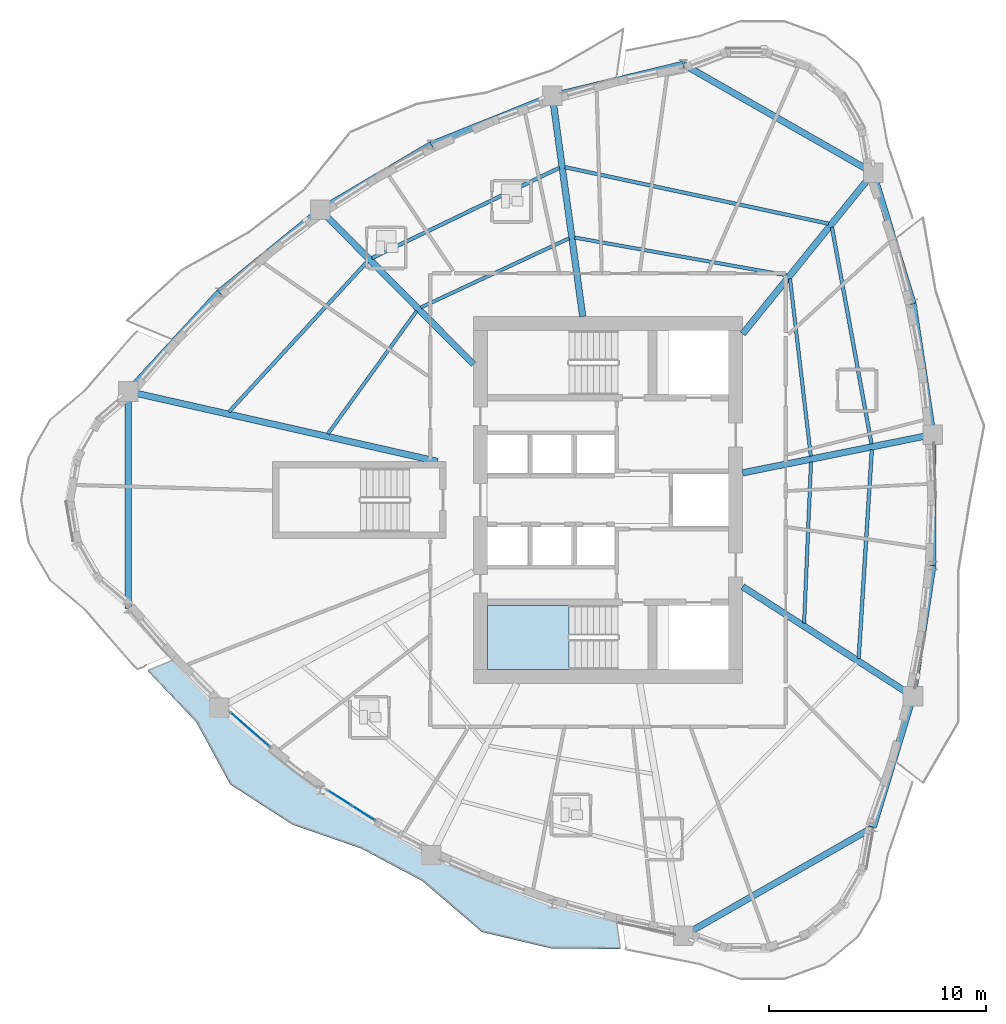
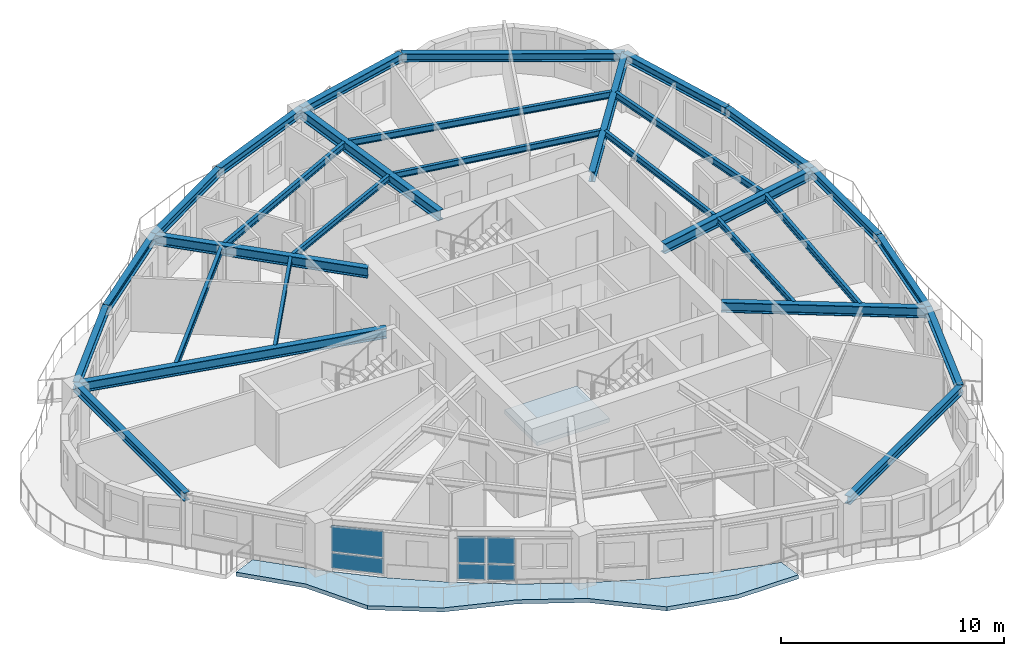
# One storey, part 3 of 15: 29 beams, 6 plates, 2 slabs, 3 elements without a shape of their own.
"""IFC4 building model written with IfcOpenShell, lengths in metres."""

from ifc_helpers import new_model, si_unit, direction, frame, origin, origin_2d, place, context, subcontext, project, spatial, polyline, rectangle, i_section, outline, extrude, source, transform, mapped, material, layer, layer_set, material_profile, profile_set, type_object, element, aggregate, save


model = new_model("IFC4")

# Units and contexts
model_context = context("Model", 3, precision=1e-05, world=origin(), true_north=direction((0.0, 1.0)))
body_context = subcontext(model_context, "Body", "Model", "MODEL_VIEW")
ifc_project = project(units=[si_unit("LENGTHUNIT", "METRE"), si_unit("AREAUNIT", "SQUARE_METRE"), si_unit("VOLUMEUNIT", "CUBIC_METRE"), si_unit("PLANEANGLEUNIT", "RADIAN"), si_unit("MASSUNIT", "GRAM", prefix="KILO")], contexts=[model_context])

# Site, building, storey
site_placement = place(None, origin())
site = spatial("IfcSite", under=ifc_project, at=site_placement, CompositionType="ELEMENT")
building_placement = place(site_placement, origin())
building = spatial("IfcBuilding", under=site, at=building_placement, Name="Qafzar Sky-Pleat Residences", CompositionType="ELEMENT")
storey_placement = place(building_placement, frame((0.0, 0.0, 70.39990234375)))
storey = spatial("IfcBuildingStorey", under=building, at=storey_placement, Name="L20", CompositionType="ELEMENT", Elevation=70.39990234375)

# Beams
ifc_material_1 = material(Name="Steel S355", Category="steel")
ifc_material_profile_1 = material_profile(ifc_material_1, i_section(OverallWidth=0.300048828125, OverallDepth=0.449951171875, WebThickness=0.013916015625, FlangeThickness=0.02587890625, FilletRadius=0.027099609375, at=origin_2d()), Name="HEB 450")
ifc_profile_set_1 = profile_set([ifc_material_profile_1], Name="Steel S355")
beam_type_1 = type_object("IfcBeamType", Name="BM-SPAN-HEB450", PredefinedType="SPANDREL", material=ifc_profile_set_1)
shared_shape_1 = source(origin(), body_context, "Body", "SweptSolid", [
    extrude(i_section(OverallWidth=0.300048828125, OverallDepth=0.449951171875, WebThickness=0.013916015625, FlangeThickness=0.02587890625, FilletRadius=0.027099609375, at=origin_2d()), origin(), (0.0, 0.0, 1.0), 9.9931640625),
])
beam_1_placement = place(storey_placement, frame((8.255859375, 30.99658203125, 2.72314453125), z_axis=(0.0, -1.0, 0.0), x_axis=(1.0, 0.0, 0.0)))
element("IfcBeam", 1, at=beam_1_placement, inside=storey, type_object=beam_type_1, Name="L20 Perimeter Spandrel Beam 1", PredefinedType="SPANDREL", context=body_context, shape_type="MappedRepresentation", body=[
    mapped(shared_shape_1, transform((0.0, 0.0, 0.0), x_axis=(1.0, 0.0, 0.0), y_axis=(0.0, 1.0, 0.0), z_axis=(0.0, 0.0, 1.0), scale=1.0)),
])
shared_shape_2 = source(origin(), body_context, "Body", "SweptSolid", [
    extrude(i_section(OverallWidth=0.300048828125, OverallDepth=0.449951171875, WebThickness=0.013916015625, FlangeThickness=0.02587890625, FilletRadius=0.027099609375, at=origin_2d()), origin(), (0.0, 0.0, 1.0), 6.20166015625),
])
beam_2_placement = place(storey_placement, frame((12.451416015625, 35.563720703125, 2.72314453125), z_axis=(-0.676513948363, -0.736429818564, 0.0), x_axis=(0.736429818564, -0.676513948363, 0.0)))
element("IfcBeam", 2, at=beam_2_placement, inside=storey, type_object=beam_type_1, Name="L20 Perimeter Spandrel Beam 18", PredefinedType="SPANDREL", context=body_context, shape_type="MappedRepresentation", body=[
    mapped(shared_shape_2, transform((0.0, 0.0, 0.0), x_axis=(1.0, 0.0, 0.0), y_axis=(0.0, 1.0, 0.0), z_axis=(0.0, 0.0, 1.0), scale=1.0)),
])
shared_shape_3 = source(origin(), body_context, "Body", "SweptSolid", [
    extrude(i_section(OverallWidth=0.300048828125, OverallDepth=0.449951171875, WebThickness=0.013916015625, FlangeThickness=0.02587890625, FilletRadius=0.027099609375, at=origin_2d()), origin(), (0.0, 0.0, 1.0), 6.002197265625),
])
for number, where, z_axis, x_axis, name in (
    (3, (27.786865234375, 44.60400390625, 2.72314453125), (-0.927979334947, -0.372631659834, 0.0), (0.372631659834, -0.927979334947, 0.0), "L20 Perimeter Spandrel Beam 15"),
    (4, (17.105224609375, 39.354248046875, 2.72314453125), (-0.775354482876, -0.631526266978, 0.0), (0.631526266978, -0.775354482876, 0.0), "L20 Perimeter Spandrel Beam 17"),
):
    element("IfcBeam", number, at=place(storey_placement, frame(where, z_axis=z_axis, x_axis=x_axis)), inside=storey, type_object=beam_type_1, Name=name, PredefinedType="SPANDREL", context=body_context, shape_type="MappedRepresentation", body=[
        mapped(shared_shape_3, transform((0.0, 0.0, 0.0), x_axis=(1.0, 0.0, 0.0), y_axis=(0.0, 1.0, 0.0), z_axis=(0.0, 0.0, 1.0), scale=1.0)),
    ])
shared_shape_4 = source(origin(), body_context, "Body", "SweptSolid", [
    extrude(i_section(OverallWidth=0.300048828125, OverallDepth=0.449951171875, WebThickness=0.013916015625, FlangeThickness=0.02587890625, FilletRadius=0.027099609375, at=origin_2d()), origin(), (0.0, 0.0, 1.0), 5.933837890625),
])
beam_3_placement = place(storey_placement, frame((22.217041015625, 42.367431640625, 2.72314453125), z_axis=(-0.861474825081, -0.507800281362, 0.0), x_axis=(0.507800281362, -0.861474825081, 0.0)))
element("IfcBeam", 5, at=beam_3_placement, inside=storey, type_object=beam_type_1, Name="L20 Perimeter Spandrel Beam 16", PredefinedType="SPANDREL", context=body_context, shape_type="MappedRepresentation", body=[
    mapped(shared_shape_4, transform((0.0, 0.0, 0.0), x_axis=(1.0, 0.0, 0.0), y_axis=(0.0, 1.0, 0.0), z_axis=(0.0, 0.0, 1.0), scale=1.0)),
])
shared_shape_5 = source(origin(), body_context, "Body", "SweptSolid", [
    extrude(i_section(OverallWidth=0.300048828125, OverallDepth=0.449951171875, WebThickness=0.013916015625, FlangeThickness=0.02587890625, FilletRadius=0.027099609375, at=origin_2d()), origin(), (0.0, 0.0, 1.0), 6.201904296875),
])
beam_4_placement = place(storey_placement, frame((33.814697265625, 46.063232421875, 2.72314453125), z_axis=(-0.971926258737, -0.235285672275, 0.0), x_axis=(0.235285672275, -0.971926258737, 0.0)))
element("IfcBeam", 6, at=beam_4_placement, inside=storey, type_object=beam_type_1, Name="L20 Perimeter Spandrel Beam 14", PredefinedType="SPANDREL", context=body_context, shape_type="MappedRepresentation", body=[
    mapped(shared_shape_5, transform((0.0, 0.0, 0.0), x_axis=(1.0, 0.0, 0.0), y_axis=(0.0, 1.0, 0.0), z_axis=(0.0, 0.0, 1.0), scale=1.0)),
])
shared_shape_6 = source(origin(), body_context, "Body", "SweptSolid", [
    extrude(i_section(OverallWidth=0.300048828125, OverallDepth=0.449951171875, WebThickness=0.013916015625, FlangeThickness=0.02587890625, FilletRadius=0.027099609375, at=origin_2d()), origin(), (0.0, 0.0, 1.0), 10.072021484375),
])
for number, where, z_axis, x_axis, name in (
    (7, (33.814697265625, 5.936767578125, 2.72314453125), (0.868286397172, 0.496063234363, 0.0), (-0.496063234363, 0.868286397172, 0.0), "L20 Perimeter Spandrel Beam 7"),
    (8, (42.56005859375, 41.06689453125, 2.72314453125), (-0.868286397172, 0.496063234363, 0.0), (-0.496063234363, -0.868286397172, 0.0), "L20 Perimeter Spandrel Beam 13"),
):
    element("IfcBeam", number, at=place(storey_placement, frame(where, z_axis=z_axis, x_axis=x_axis)), inside=storey, type_object=beam_type_1, Name=name, PredefinedType="SPANDREL", context=body_context, shape_type="MappedRepresentation", body=[
        mapped(shared_shape_6, transform((0.0, 0.0, 0.0), x_axis=(1.0, 0.0, 0.0), y_axis=(0.0, 1.0, 0.0), z_axis=(0.0, 0.0, 1.0), scale=1.0)),
    ])
shared_shape_7 = source(origin(), body_context, "Body", "SweptSolid", [
    extrude(i_section(OverallWidth=0.300048828125, OverallDepth=0.449951171875, WebThickness=0.013916015625, FlangeThickness=0.02587890625, FilletRadius=0.027099609375, at=origin_2d()), origin(), (0.0, 0.0, 1.0), 6.299072265625),
])
for number, where, z_axis, x_axis, name in (
    (9, (42.56005859375, 10.93310546875, 2.72314453125), (0.290837724263, 0.956772396208, 0.0), (-0.956772396208, 0.290837724263, 0.0), "L20 Perimeter Spandrel Beam 8"),
    (10, (44.39208984375, 35.0400390625, 2.72314453125), (-0.290837724263, 0.956772396208, 0.0), (-0.956772396208, -0.290837724263, 0.0), "L20 Perimeter Spandrel Beam 12"),
):
    element("IfcBeam", number, at=place(storey_placement, frame(where, z_axis=z_axis, x_axis=x_axis)), inside=storey, type_object=beam_type_1, Name=name, PredefinedType="SPANDREL", context=body_context, shape_type="MappedRepresentation", body=[
        mapped(shared_shape_7, transform((0.0, 0.0, 0.0), x_axis=(1.0, 0.0, 0.0), y_axis=(0.0, 1.0, 0.0), z_axis=(0.0, 0.0, 1.0), scale=1.0)),
    ])
shared_shape_8 = source(origin(), body_context, "Body", "SweptSolid", [
    extrude(i_section(OverallWidth=0.300048828125, OverallDepth=0.449951171875, WebThickness=0.013916015625, FlangeThickness=0.02587890625, FilletRadius=0.027099609375, at=origin_2d()), origin(), (0.0, 0.0, 1.0), 6.095947265625),
])
for number, where, z_axis, x_axis, name in (
    (11, (44.39208984375, 16.9599609375, 2.72314453125), (0.150269250575, 0.988645109395, 0.0), (-0.988645109395, 0.150269250575, 0.0), "L20 Perimeter Spandrel Beam 9"),
    (12, (45.30810546875, 29.013427734375, 2.72314453125), (-0.150269250575, 0.988645109395, 0.0), (-0.988645109395, -0.150269250575, 0.0), "L20 Perimeter Spandrel Beam 11"),
):
    element("IfcBeam", number, at=place(storey_placement, frame(where, z_axis=z_axis, x_axis=x_axis)), inside=storey, type_object=beam_type_1, Name=name, PredefinedType="SPANDREL", context=body_context, shape_type="MappedRepresentation", body=[
        mapped(shared_shape_8, transform((0.0, 0.0, 0.0), x_axis=(1.0, 0.0, 0.0), y_axis=(0.0, 1.0, 0.0), z_axis=(0.0, 0.0, 1.0), scale=1.0)),
    ])
shared_shape_9 = source(origin(), body_context, "Body", "SweptSolid", [
    extrude(i_section(OverallWidth=0.300048828125, OverallDepth=0.449951171875, WebThickness=0.013916015625, FlangeThickness=0.02587890625, FilletRadius=0.027099609375, at=origin_2d()), origin(), (0.0, 0.0, 1.0), 6.02685546875),
])
beam_5_placement = place(storey_placement, frame((45.30810546875, 22.986572265625, 2.72314453125), z_axis=(0.0, 1.0, 0.0), x_axis=(-1.0, 0.0, 0.0)))
element("IfcBeam", 13, at=beam_5_placement, inside=storey, type_object=beam_type_1, Name="L20 Perimeter Spandrel Beam 10", PredefinedType="SPANDREL", context=body_context, shape_type="MappedRepresentation", body=[
    mapped(shared_shape_9, transform((0.0, 0.0, 0.0), x_axis=(1.0, 0.0, 0.0), y_axis=(0.0, 1.0, 0.0), z_axis=(0.0, 0.0, 1.0), scale=1.0)),
])
ifc_material_profile_2 = material_profile(ifc_material_1, i_section(OverallWidth=0.300048828125, OverallDepth=0.550048828125, WebThickness=0.014892578125, FlangeThickness=0.029052734375, FilletRadius=0.027099609375, at=origin_2d()), Name="HEB 550")
ifc_profile_set_2 = profile_set([ifc_material_profile_2], Name="Steel S355")
beam_type_2 = type_object("IfcBeamType", Name="BM-GIRD-HEB550", PredefinedType="BEAM", material=ifc_profile_set_2)
shared_shape_10 = source(origin(), body_context, "Body", "SweptSolid", [
    extrude(i_section(OverallWidth=0.300048828125, OverallDepth=0.550048828125, WebThickness=0.014892578125, FlangeThickness=0.029052734375, FilletRadius=0.027099609375, at=origin_2d()), origin(), (0.0, 0.0, 1.0), 14.605224609375),
])
beam_6_placement = place(storey_placement, frame((8.255859375, 30.99658203125, 2.673095703125), z_axis=(0.975367612327, -0.220585631498, 0.0), x_axis=(0.220585631498, 0.975367612327, 0.0)))
element("IfcBeam", 14, at=beam_6_placement, inside=storey, type_object=beam_type_2, Name="L20 Radial Floor Girder 1", PredefinedType="BEAM", context=body_context, shape_type="MappedRepresentation", body=[
    mapped(shared_shape_10, transform((0.0, 0.0, 0.0), x_axis=(1.0, 0.0, 0.0), y_axis=(0.0, 1.0, 0.0), z_axis=(0.0, 0.0, 1.0), scale=1.0)),
])
shared_shape_11 = source(origin(), body_context, "Body", "SweptSolid", [
    extrude(i_section(OverallWidth=0.300048828125, OverallDepth=0.550048828125, WebThickness=0.014892578125, FlangeThickness=0.029052734375, FilletRadius=0.027099609375, at=origin_2d()), origin(), (0.0, 0.0, 1.0), 9.32666015625),
])
beam_7_placement = place(storey_placement, frame((44.39208984375, 16.9599609375, 2.673095703125), z_axis=(-0.840823632468, 0.541309171439, 0.0), x_axis=(-0.541309171439, -0.840823632468, 0.0)))
element("IfcBeam", 15, at=beam_7_placement, inside=storey, type_object=beam_type_2, Name="L20 Radial Floor Girder 9", PredefinedType="BEAM", context=body_context, shape_type="MappedRepresentation", body=[
    mapped(shared_shape_11, transform((0.0, 0.0, 0.0), x_axis=(1.0, 0.0, 0.0), y_axis=(0.0, 1.0, 0.0), z_axis=(0.0, 0.0, 1.0), scale=1.0)),
])
shared_shape_12 = source(origin(), body_context, "Body", "SweptSolid", [
    extrude(i_section(OverallWidth=0.300048828125, OverallDepth=0.550048828125, WebThickness=0.014892578125, FlangeThickness=0.029052734375, FilletRadius=0.027099609375, at=origin_2d()), origin(), (0.0, 0.0, 1.0), 8.93408203125),
])
beam_8_placement = place(storey_placement, frame((45.30810546875, 29.013427734375, 2.673095703125), z_axis=(-0.980304336159, -0.197492806217, 0.0), x_axis=(0.197492806217, -0.980304336159, 0.0)))
element("IfcBeam", 16, at=beam_8_placement, inside=storey, type_object=beam_type_2, Name="L20 Radial Floor Girder 11", PredefinedType="BEAM", context=body_context, shape_type="MappedRepresentation", body=[
    mapped(shared_shape_12, transform((0.0, 0.0, 0.0), x_axis=(1.0, 0.0, 0.0), y_axis=(0.0, 1.0, 0.0), z_axis=(0.0, 0.0, 1.0), scale=1.0)),
])
shared_shape_13 = source(origin(), body_context, "Body", "SweptSolid", [
    extrude(i_section(OverallWidth=0.300048828125, OverallDepth=0.550048828125, WebThickness=0.014892578125, FlangeThickness=0.029052734375, FilletRadius=0.027099609375, at=origin_2d()), origin(), (0.0, 0.0, 1.0), 9.545654296875),
])
beam_9_placement = place(storey_placement, frame((42.56005859375, 41.06689453125, 2.673095703125), z_axis=(-0.629601331926, -0.776918375916, 0.0), x_axis=(0.776918375916, -0.629601331926, 0.0)))
element("IfcBeam", 17, at=beam_9_placement, inside=storey, type_object=beam_type_2, Name="L20 Radial Floor Girder 13", PredefinedType="BEAM", context=body_context, shape_type="MappedRepresentation", body=[
    mapped(shared_shape_13, transform((0.0, 0.0, 0.0), x_axis=(1.0, 0.0, 0.0), y_axis=(0.0, 1.0, 0.0), z_axis=(0.0, 0.0, 1.0), scale=1.0)),
])
shared_shape_14 = source(origin(), body_context, "Body", "SweptSolid", [
    extrude(i_section(OverallWidth=0.300048828125, OverallDepth=0.550048828125, WebThickness=0.014892578125, FlangeThickness=0.029052734375, FilletRadius=0.027099609375, at=origin_2d()), origin(), (0.0, 0.0, 1.0), 10.25),
])
beam_10_placement = place(storey_placement, frame((27.786865234375, 44.60400390625, 2.673095703125), z_axis=(0.136481031504, -0.990642684342, 0.0), x_axis=(0.990642684342, 0.136481031504, 0.0)))
element("IfcBeam", 18, at=beam_10_placement, inside=storey, type_object=beam_type_2, Name="L20 Radial Floor Girder 15", PredefinedType="BEAM", context=body_context, shape_type="MappedRepresentation", body=[
    mapped(shared_shape_14, transform((0.0, 0.0, 0.0), x_axis=(1.0, 0.0, 0.0), y_axis=(0.0, 1.0, 0.0), z_axis=(0.0, 0.0, 1.0), scale=1.0)),
])
shared_shape_15 = source(origin(), body_context, "Body", "SweptSolid", [
    extrude(i_section(OverallWidth=0.300048828125, OverallDepth=0.550048828125, WebThickness=0.014892578125, FlangeThickness=0.029052734375, FilletRadius=0.027099609375, at=origin_2d()), origin(), (0.0, 0.0, 1.0), 10.00390625),
])
beam_11_placement = place(storey_placement, frame((17.105224609375, 39.354248046875, 2.673095703125), z_axis=(0.70418446017, -0.710017074482, 0.0), x_axis=(0.710017074482, 0.70418446017, 0.0)))
element("IfcBeam", 19, at=beam_11_placement, inside=storey, type_object=beam_type_2, Name="L20 Radial Floor Girder 17", PredefinedType="BEAM", context=body_context, shape_type="MappedRepresentation", body=[
    mapped(shared_shape_15, transform((0.0, 0.0, 0.0), x_axis=(1.0, 0.0, 0.0), y_axis=(0.0, 1.0, 0.0), z_axis=(0.0, 0.0, 1.0), scale=1.0)),
])
ifc_material_profile_3 = material_profile(ifc_material_1, i_section(OverallWidth=0.169921875, OverallDepth=0.360107421875, WebThickness=0.008056640625, FlangeThickness=0.0126953125, FilletRadius=0.01806640625, at=origin_2d()), Name="IPE 360")
ifc_profile_set_3 = profile_set([ifc_material_profile_3], Name="Steel S355")
beam_type_3 = type_object("IfcBeamType", Name="BM-JST-IPE360", PredefinedType="JOIST", material=ifc_profile_set_3)
shared_shape_16 = source(origin(), body_context, "Body", "SweptSolid", [
    extrude(i_section(OverallWidth=0.169921875, OverallDepth=0.360107421875, WebThickness=0.008056640625, FlangeThickness=0.0126953125, FilletRadius=0.01806640625, at=origin_2d()), origin(), (0.0, 0.0, 1.0), 9.623046875),
])
beam_12_placement = place(storey_placement, frame((41.89111328125, 18.710205078125, 2.76806640625), z_axis=(0.062968997663, 0.998015483514, 0.0), x_axis=(-0.998015483514, 0.062968997663, 0.0)))
element("IfcBeam", 20, at=beam_12_placement, inside=storey, type_object=beam_type_3, Name="L20 Outer Secondary Floor Joist 5", PredefinedType="JOIST", context=body_context, shape_type="MappedRepresentation", body=[
    mapped(shared_shape_16, transform((0.0, 0.0, 0.0), x_axis=(1.0, 0.0, 0.0), y_axis=(0.0, 1.0, 0.0), z_axis=(0.0, 0.0, 1.0), scale=1.0)),
])
shared_shape_17 = source(origin(), body_context, "Body", "SweptSolid", [
    extrude(i_section(OverallWidth=0.169921875, OverallDepth=0.360107421875, WebThickness=0.008056640625, FlangeThickness=0.0126953125, FilletRadius=0.01806640625, at=origin_2d()), origin(), (0.0, 0.0, 1.0), 10.14404296875),
])
beam_13_placement = place(storey_placement, frame((42.4814453125, 28.58154296875, 2.76806640625), z_axis=(-0.179472078166, 0.983763067592, 0.0), x_axis=(-0.983763067592, -0.179472078166, 0.0)))
element("IfcBeam", 21, at=beam_13_placement, inside=storey, type_object=beam_type_3, Name="L20 Outer Secondary Floor Joist 6", PredefinedType="JOIST", context=body_context, shape_type="MappedRepresentation", body=[
    mapped(shared_shape_17, transform((0.0, 0.0, 0.0), x_axis=(1.0, 0.0, 0.0), y_axis=(0.0, 1.0, 0.0), z_axis=(0.0, 0.0, 1.0), scale=1.0)),
])
shared_shape_18 = source(origin(), body_context, "Body", "SweptSolid", [
    extrude(i_section(OverallWidth=0.169921875, OverallDepth=0.360107421875, WebThickness=0.008056640625, FlangeThickness=0.0126953125, FilletRadius=0.01806640625, at=origin_2d()), origin(), (0.0, 0.0, 1.0), 12.414794921875),
])
beam_14_placement = place(storey_placement, frame((40.5048828125, 38.721923828125, 2.76806640625), z_axis=(-0.977746260542, 0.209790967386, 0.0), x_axis=(-0.209790967386, -0.977746260542, 0.0)))
element("IfcBeam", 22, at=beam_14_placement, inside=storey, type_object=beam_type_3, Name="L20 Outer Secondary Floor Joist 7", PredefinedType="JOIST", context=body_context, shape_type="MappedRepresentation", body=[
    mapped(shared_shape_18, transform((0.0, 0.0, 0.0), x_axis=(1.0, 0.0, 0.0), y_axis=(0.0, 1.0, 0.0), z_axis=(0.0, 0.0, 1.0), scale=1.0)),
])
shared_shape_19 = source(origin(), body_context, "Body", "SweptSolid", [
    extrude(i_section(OverallWidth=0.169921875, OverallDepth=0.360107421875, WebThickness=0.008056640625, FlangeThickness=0.0126953125, FilletRadius=0.01806640625, at=origin_2d()), origin(), (0.0, 0.0, 1.0), 9.580078125),
])
beam_15_placement = place(storey_placement, frame((28.11279296875, 41.296142578125, 2.76806640625), z_axis=(-0.900989494941, -0.433840904027, 0.0), x_axis=(0.433840904027, -0.900989494941, 0.0)))
element("IfcBeam", 23, at=beam_15_placement, inside=storey, type_object=beam_type_3, Name="L20 Outer Secondary Floor Joist 8", PredefinedType="JOIST", context=body_context, shape_type="MappedRepresentation", body=[
    mapped(shared_shape_19, transform((0.0, 0.0, 0.0), x_axis=(1.0, 0.0, 0.0), y_axis=(0.0, 1.0, 0.0), z_axis=(0.0, 0.0, 1.0), scale=1.0)),
])
shared_shape_20 = source(origin(), body_context, "Body", "SweptSolid", [
    extrude(i_section(OverallWidth=0.169921875, OverallDepth=0.360107421875, WebThickness=0.008056640625, FlangeThickness=0.0126953125, FilletRadius=0.01806640625, at=origin_2d()), origin(), (0.0, 0.0, 1.0), 9.39794921875),
])
beam_16_placement = place(storey_placement, frame((19.26806640625, 36.98193359375, 2.76806640625), z_axis=(-0.676979989614, -0.736001422323, 0.0), x_axis=(0.736001422323, -0.676979989614, 0.0)))
element("IfcBeam", 24, at=beam_16_placement, inside=storey, type_object=beam_type_3, Name="L20 Outer Secondary Floor Joist 9", PredefinedType="JOIST", context=body_context, shape_type="MappedRepresentation", body=[
    mapped(shared_shape_20, transform((0.0, 0.0, 0.0), x_axis=(1.0, 0.0, 0.0), y_axis=(0.0, 1.0, 0.0), z_axis=(0.0, 0.0, 1.0), scale=1.0)),
])
ifc_material_profile_4 = material_profile(ifc_material_1, i_section(OverallWidth=0.159912109375, OverallDepth=0.330078125, WebThickness=0.007568359375, FlangeThickness=0.011474609375, FilletRadius=0.01806640625, at=origin_2d()), Name="IPE 330")
ifc_profile_set_4 = profile_set([ifc_material_profile_4], Name="Steel S355")
beam_type_4 = type_object("IfcBeamType", Name="BM-JST-IPE330", PredefinedType="JOIST", material=ifc_profile_set_4)
shared_shape_21 = source(origin(), body_context, "Body", "SweptSolid", [
    extrude(i_section(OverallWidth=0.159912109375, OverallDepth=0.330078125, WebThickness=0.007568359375, FlangeThickness=0.011474609375, FilletRadius=0.01806640625, at=origin_2d()), origin(), (0.0, 0.0, 1.0), 7.43017578125),
])
beam_17_placement = place(storey_placement, frame((39.37890625, 20.325927734375, 2.783203125), z_axis=(0.042846887856, 0.999081650418, 0.0), x_axis=(-0.999081650418, 0.042846887856, 0.0)))
element("IfcBeam", 25, at=beam_17_placement, inside=storey, type_object=beam_type_4, Name="L20 Inner Secondary Floor Joist 5", PredefinedType="JOIST", context=body_context, shape_type="MappedRepresentation", body=[
    mapped(shared_shape_21, transform((0.0, 0.0, 0.0), x_axis=(1.0, 0.0, 0.0), y_axis=(0.0, 1.0, 0.0), z_axis=(0.0, 0.0, 1.0), scale=1.0)),
])
shared_shape_22 = source(origin(), body_context, "Body", "SweptSolid", [
    extrude(i_section(OverallWidth=0.159912109375, OverallDepth=0.330078125, WebThickness=0.007568359375, FlangeThickness=0.011474609375, FilletRadius=0.01806640625, at=origin_2d()), origin(), (0.0, 0.0, 1.0), 8.223876953125),
])
beam_18_placement = place(storey_placement, frame((39.687255859375, 28.018310546875, 2.783203125), z_axis=(-0.116489865453, 0.993191880377, 0.0), x_axis=(-0.993191880377, -0.116489865453, 0.0)))
element("IfcBeam", 26, at=beam_18_placement, inside=storey, type_object=beam_type_4, Name="L20 Inner Secondary Floor Joist 6", PredefinedType="JOIST", context=body_context, shape_type="MappedRepresentation", body=[
    mapped(shared_shape_22, transform((0.0, 0.0, 0.0), x_axis=(1.0, 0.0, 0.0), y_axis=(0.0, 1.0, 0.0), z_axis=(0.0, 0.0, 1.0), scale=1.0)),
])
shared_shape_23 = source(origin(), body_context, "Body", "SweptSolid", [
    extrude(i_section(OverallWidth=0.159912109375, OverallDepth=0.330078125, WebThickness=0.007568359375, FlangeThickness=0.011474609375, FilletRadius=0.01806640625, at=origin_2d()), origin(), (0.0, 0.0, 1.0), 9.9189453125),
])
beam_19_placement = place(storey_placement, frame((38.580810546875, 36.343994140625, 2.783203125), z_axis=(-0.984533273835, 0.175197696079, 0.0), x_axis=(-0.175197696079, -0.984533273835, 0.0)))
element("IfcBeam", 27, at=beam_19_placement, inside=storey, type_object=beam_type_4, Name="L20 Inner Secondary Floor Joist 7", PredefinedType="JOIST", context=body_context, shape_type="MappedRepresentation", body=[
    mapped(shared_shape_23, transform((0.0, 0.0, 0.0), x_axis=(1.0, 0.0, 0.0), y_axis=(0.0, 1.0, 0.0), z_axis=(0.0, 0.0, 1.0), scale=1.0)),
])
shared_shape_24 = source(origin(), body_context, "Body", "SweptSolid", [
    extrude(i_section(OverallWidth=0.159912109375, OverallDepth=0.330078125, WebThickness=0.007568359375, FlangeThickness=0.011474609375, FilletRadius=0.01806640625, at=origin_2d()), origin(), (0.0, 0.0, 1.0), 7.529541015625),
])
beam_20_placement = place(storey_placement, frame((28.559814453125, 38.04833984375, 2.783203125), z_axis=(-0.906249396796, -0.422743457439, 0.0), x_axis=(0.422743457439, -0.906249396796, 0.0)))
element("IfcBeam", 28, at=beam_20_placement, inside=storey, type_object=beam_type_4, Name="L20 Inner Secondary Floor Joist 8", PredefinedType="JOIST", context=body_context, shape_type="MappedRepresentation", body=[
    mapped(shared_shape_24, transform((0.0, 0.0, 0.0), x_axis=(1.0, 0.0, 0.0), y_axis=(0.0, 1.0, 0.0), z_axis=(0.0, 0.0, 1.0), scale=1.0)),
])
shared_shape_25 = source(origin(), body_context, "Body", "SweptSolid", [
    extrude(i_section(OverallWidth=0.159912109375, OverallDepth=0.330078125, WebThickness=0.007568359375, FlangeThickness=0.011474609375, FilletRadius=0.01806640625, at=origin_2d()), origin(), (0.0, 0.0, 1.0), 6.974609375),
])
beam_21_placement = place(storey_placement, frame((21.534912109375, 34.69873046875, 2.783203125), z_axis=(-0.585412590152, -0.810735529807, 0.0), x_axis=(0.810735529807, -0.585412590152, 0.0)))
element("IfcBeam", 29, at=beam_21_placement, inside=storey, type_object=beam_type_4, Name="L20 Inner Secondary Floor Joist 9", PredefinedType="JOIST", context=body_context, shape_type="MappedRepresentation", body=[
    mapped(shared_shape_25, transform((0.0, 0.0, 0.0), x_axis=(1.0, 0.0, 0.0), y_axis=(0.0, 1.0, 0.0), z_axis=(0.0, 0.0, 1.0), scale=1.0)),
])

# Slab
ifc_material_2 = material(Name="Concrete C40/50", Category="concrete")
ifc_layer_1 = layer(ifc_material_2, 0.219970703125)
ifc_layer_set_1 = layer_set([ifc_layer_1], Name="Concrete C40/50")
slab_type_1 = type_object("IfcSlabType", Name="SLAB-BAL-220", PredefinedType="USERDEFINED", material=ifc_layer_set_1)
slab_1_placement = place(storey_placement, frame((0.0, 0.0, -0.219970703125)))
element("IfcSlab", 30, at=slab_1_placement, inside=storey, type_object=slab_type_1, Name="L20 Pleated Stone Balcony 3", ObjectType="BALCONY", PredefinedType="USERDEFINED", context=body_context, shape_type="SweptSolid", body=[
    extrude(outline(polyline([(12.44140625, 16.429931640625), (14.7119140625, 14.43603515625), (17.09765625, 12.636474609375), (19.597900390625, 11.031494140625), (22.212890625, 9.62109375), (24.9423828125, 8.405517578125), (27.78662109375, 7.384033203125), (30.7451171875, 6.557373046875), (30.918212890625, 5.33154296875), (27.76318359375, 5.34619140625), (24.54345703125, 6.10888671875), (21.800537109375, 8.453857421875), (18.9921875, 9.951904296875), (15.809326171875, 11.057373046875), (12.953857421875, 12.906005859375), (11.38671875, 15.78125), (9.142578125, 18.141845703125), (10.285400390625, 18.6181640625), (12.44140625, 16.429931640625)])), origin(), (0.0, 0.0, 1.0), 0.219970703125),
])

# Stair, slab
stair_type = type_object("IfcStairType", Name="STAIR-H320", PredefinedType="HALF_TURN_STAIR", material=ifc_material_2)
stair_placement = place(storey_placement, origin())
stair = element("IfcStair", 31, at=stair_placement, inside=storey, type_object=stair_type, Name="L20 Protected Exit Stair ST1", PredefinedType="HALF_TURN_STAIR")
ifc_layer_2 = layer(ifc_material_2, 0.199951171875)
ifc_layer_set_2 = layer_set([ifc_layer_2], Name="Concrete C40/50")
slab_type_2 = type_object("IfcSlabType", Name="SLAB-LANDING-200", PredefinedType="LANDING", material=ifc_layer_set_2)
slab_2_placement = place(storey_placement, frame((0.0, 0.0, 1.400146484375)))
slab_2 = element("IfcSlab", 32, at=slab_2_placement, type_object=slab_type_2, Name="ST1 landing 1", PredefinedType="LANDING", context=body_context, shape_type="SweptSolid", body=[
    extrude(outline(polyline([(28.56005859375, 21.14990234375), (24.800048828125, 21.14990234375), (24.800048828125, 18.199951171875), (28.56005859375, 18.199951171875), (28.56005859375, 21.14990234375)])), origin(), (0.0, 0.0, 1.0), 0.199951171875),
])
aggregate(stair, [slab_2])

# Curtain wall, plates
ifc_material_3 = material(Name="Anodised bronze aluminium framing", Category="aluminium")
ifc_layer_3 = layer(ifc_material_3, 0.199951171875)
ifc_layer_set_3 = layer_set([ifc_layer_3], Name="Anodised bronze aluminium framing")
curtain_wall_type = type_object("IfcCurtainWallType", Name="CW-SYS-04", PredefinedType="NOTDEFINED", material=ifc_layer_set_3)
curtain_wall_1_placement = place(storey_placement, origin())
curtain_wall_1 = element("IfcCurtainWall", 33, at=curtain_wall_1_placement, inside=storey, type_object=curtain_wall_type, Name="L20 CW-04 Curtain Wall CW-L20-WG-01", PredefinedType="NOTDEFINED")
ifc_material_4 = material(Name="Solar-control double low-E glazing", Category="glass")
ifc_layer_4 = layer(ifc_material_4, 0.028076171875)
ifc_layer_set_4 = layer_set([ifc_layer_4], Name="Solar-control double low-E glazing")
plate_type = type_object("IfcPlateType", Name="CWP-04", PredefinedType="CURTAIN_PANEL", material=ifc_layer_set_4)
shared_shape_26 = source(origin(), body_context, "Body", "SweptSolid", [
    extrude(rectangle(XDim=2.39990234375, YDim=0.028076171875, at=origin_2d()), origin(), (0.0, 0.0, 1.0), 0.844970703125),
])
plate_1_placement = place(storey_placement, frame((13.870849609375, 15.423095703125, 0.06494140625), z_axis=(0.0, 0.0, 1.0), x_axis=(0.751505703938, -0.659726592573, 0.0)))
plate_1 = element("IfcPlate", 34, at=plate_1_placement, type_object=plate_type, Name="CW-04 panel 1.1", PredefinedType="CURTAIN_PANEL", context=body_context, shape_type="MappedRepresentation", body=[
    mapped(shared_shape_26, transform((0.0, 0.0, 0.0), x_axis=(1.0, 0.0, 0.0), y_axis=(0.0, 1.0, 0.0), z_axis=(0.0, 0.0, 1.0), scale=1.0)),
])
shared_shape_27 = source(origin(), body_context, "Body", "SweptSolid", [
    extrude(rectangle(XDim=2.39990234375, YDim=0.028076171875, at=origin_2d()), origin(), (0.0, 0.0, 1.0), 1.440185546875),
])
plate_2_placement = place(storey_placement, frame((13.870849609375, 15.423095703125, 0.97509765625), z_axis=(0.0, 0.0, 1.0), x_axis=(0.751505703938, -0.659726592573, 0.0)))
plate_2 = element("IfcPlate", 35, at=plate_2_placement, type_object=plate_type, Name="CW-04 panel 1.2", PredefinedType="CURTAIN_PANEL", context=body_context, shape_type="MappedRepresentation", body=[
    mapped(shared_shape_27, transform((0.0, 0.0, 0.0), x_axis=(1.0, 0.0, 0.0), y_axis=(0.0, 1.0, 0.0), z_axis=(0.0, 0.0, 1.0), scale=1.0)),
])
aggregate(curtain_wall_1, [plate_1, plate_2])

curtain_wall_2_placement = place(storey_placement, origin())
curtain_wall_2 = element("IfcCurtainWall", 36, at=curtain_wall_2_placement, inside=storey, type_object=curtain_wall_type, Name="L20 CW-04 Curtain Wall CW-L20-WG-02", PredefinedType="NOTDEFINED")
shared_shape_28 = source(origin(), body_context, "Body", "SweptSolid", [
    extrude(rectangle(XDim=1.262939453125, YDim=0.028076171875, at=origin_2d()), origin(), (0.0, 0.0, 1.0), 0.844970703125),
])
plate_3_placement = place(storey_placement, frame((17.977783203125, 12.293701171875, 0.06494140625), z_axis=(0.0, 0.0, 1.0), x_axis=(0.841569898599, -0.540148225741, 0.0)))
plate_3 = element("IfcPlate", 37, at=plate_3_placement, type_object=plate_type, Name="CW-04 panel 1.1", PredefinedType="CURTAIN_PANEL", context=body_context, shape_type="MappedRepresentation", body=[
    mapped(shared_shape_28, transform((0.0, 0.0, 0.0), x_axis=(1.0, 0.0, 0.0), y_axis=(0.0, 1.0, 0.0), z_axis=(0.0, 0.0, 1.0), scale=1.0)),
])
plate_4_placement = place(storey_placement, frame((19.095458984375, 11.576416015625, 0.06494140625), z_axis=(0.0, 0.0, 1.0), x_axis=(0.841569898599, -0.540148225741, 0.0)))
plate_4 = element("IfcPlate", 38, at=plate_4_placement, type_object=plate_type, Name="CW-04 panel 2.1", PredefinedType="CURTAIN_PANEL", context=body_context, shape_type="MappedRepresentation", body=[
    mapped(shared_shape_28, transform((0.0, 0.0, 0.0), x_axis=(1.0, 0.0, 0.0), y_axis=(0.0, 1.0, 0.0), z_axis=(0.0, 0.0, 1.0), scale=1.0)),
])
shared_shape_29 = source(origin(), body_context, "Body", "SweptSolid", [
    extrude(rectangle(XDim=1.262939453125, YDim=0.028076171875, at=origin_2d()), origin(), (0.0, 0.0, 1.0), 1.440185546875),
])
plate_5_placement = place(storey_placement, frame((17.977783203125, 12.293701171875, 0.97509765625), z_axis=(0.0, 0.0, 1.0), x_axis=(0.841569898599, -0.540148225741, 0.0)))
plate_5 = element("IfcPlate", 39, at=plate_5_placement, type_object=plate_type, Name="CW-04 panel 1.2", PredefinedType="CURTAIN_PANEL", context=body_context, shape_type="MappedRepresentation", body=[
    mapped(shared_shape_29, transform((0.0, 0.0, 0.0), x_axis=(1.0, 0.0, 0.0), y_axis=(0.0, 1.0, 0.0), z_axis=(0.0, 0.0, 1.0), scale=1.0)),
])
plate_6_placement = place(storey_placement, frame((19.095458984375, 11.576416015625, 0.97509765625), z_axis=(0.0, 0.0, 1.0), x_axis=(0.841569898599, -0.540148225741, 0.0)))
plate_6 = element("IfcPlate", 40, at=plate_6_placement, type_object=plate_type, Name="CW-04 panel 2.2", PredefinedType="CURTAIN_PANEL", context=body_context, shape_type="MappedRepresentation", body=[
    mapped(shared_shape_29, transform((0.0, 0.0, 0.0), x_axis=(1.0, 0.0, 0.0), y_axis=(0.0, 1.0, 0.0), z_axis=(0.0, 0.0, 1.0), scale=1.0)),
])
aggregate(curtain_wall_2, [plate_3, plate_5, plate_4, plate_6])

save(model, "model.ifc")
